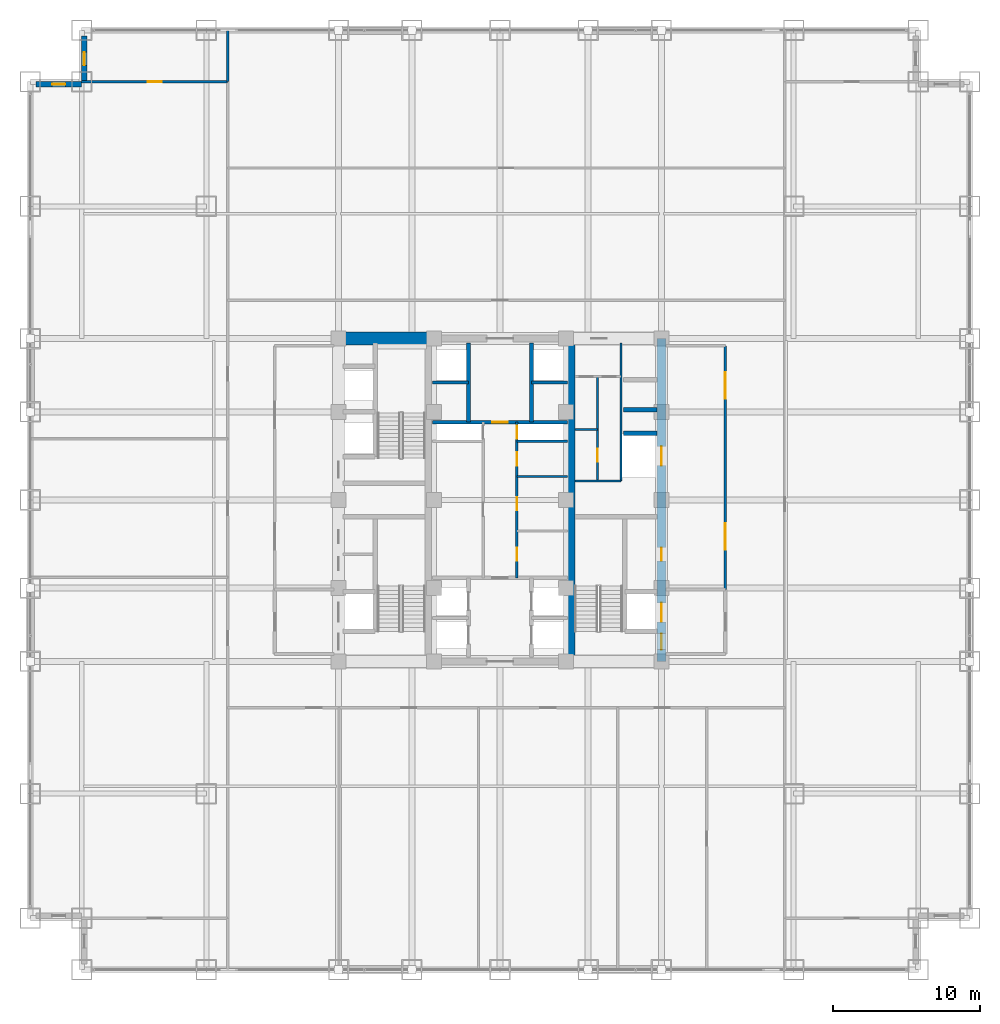
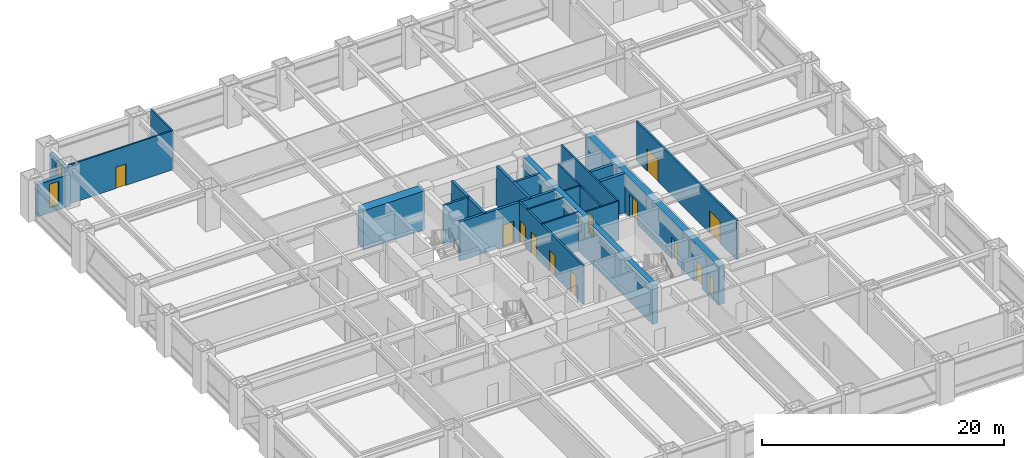
# One storey, part 25 of 27: 22 walls, 13 doors, 2 windows, 15 openings.
"""IFC4 building model written with IfcOpenShell, lengths in metres."""

from ifc_helpers import new_model, si_unit, direction, frame, frame_2d, origin, place, context, subcontext, project, spatial, rectangle, extrude, source, transform, mapped, material, layer, layer_set, type_object, element, fill, save


model = new_model("IFC4")

# Units and contexts
model_context = context("Model", 3, precision=1e-05, world=origin(), true_north=direction((0.0, 1.0)))
body_context = subcontext(model_context, "Body", "Model", "MODEL_VIEW")
ifc_project = project(units=[si_unit("LENGTHUNIT", "METRE"), si_unit("AREAUNIT", "SQUARE_METRE"), si_unit("VOLUMEUNIT", "CUBIC_METRE"), si_unit("PLANEANGLEUNIT", "RADIAN"), si_unit("MASSUNIT", "GRAM", prefix="KILO")], contexts=[model_context])

# Site, building, storey
site_placement = place(None, origin())
site = spatial("IfcSite", under=ifc_project, at=site_placement, CompositionType="ELEMENT")
building_placement = place(site_placement, origin())
building = spatial("IfcBuilding", under=site, at=building_placement, Name="Khorayat Bourse Tower", CompositionType="ELEMENT")
storey_placement = place(building_placement, frame((0.0, 0.0, 45.199951171875)))
storey = spatial("IfcBuildingStorey", under=building, at=storey_placement, Name="L09", CompositionType="ELEMENT", Elevation=45.199951171875)

# Wall, openings, doors
ifc_material_1 = material(Name="Concrete C60/75", Category="concrete")
ifc_layer_1 = layer(ifc_material_1, 0.60009765625)
ifc_layer_set_1 = layer_set([ifc_layer_1], Name="Concrete C60/75")
wall_type_1 = type_object("IfcWallType", Name="WAL-CORE-600", PredefinedType="SHEAR", material=ifc_layer_set_1)
shared_shape_1 = source(origin(), body_context, "Body", "SweptSolid", [
    extrude(rectangle(XDim=22.0, YDim=0.60009765625, at=frame_2d((11.0, 0.0))), origin(), (0.0, 0.0, 1.0), 3.93994140625),
])
wall_1_placement = place(storey_placement, frame((11.0, -11.0, 0.0), z_axis=(0.0, 0.0, 1.0), x_axis=(0.0, 1.0, 0.0)))
wall_1 = element("IfcWall", 1, at=wall_1_placement, inside=storey, type_object=wall_type_1, Name="L09 Core Shear Wall CORE-E", PredefinedType="SHEAR", context=body_context, shape_type="MappedRepresentation", body=[
    mapped(shared_shape_1, transform((0.0, 0.0, 0.0), scale=1.0)),
])
shared_shape_2 = source(origin(), body_context, "Body", "SweptSolid", [
    extrude(rectangle(XDim=1.10009765625, YDim=2.199951171875, at=frame_2d((0.550048828125, 1.10009765625))), frame((0.0, 0.31005859375, 0.0), z_axis=(0.0, -1.0, 0.0), x_axis=(1.0, 0.0, 0.0)), (0.0, 0.0, 1.0), 0.6201171875),
])
opening_1_placement = place(wall_1_placement, frame((0.800048828125, 0.0, 0.0)))
opening_1 = element("IfcOpeningElement", 2, at=opening_1_placement, cuts=wall_1, Name="Opening DI-01", PredefinedType="OPENING", context=body_context, shape_type="MappedRepresentation", body=[
    mapped(shared_shape_2, transform((0.0, 0.0, 0.0), scale=1.0)),
])
shared_shape_3 = source(origin(), body_context, "Body", "SweptSolid", [
    extrude(rectangle(XDim=0.89990234375, YDim=2.14990234375, at=frame_2d((0.449951171875, 1.074951171875))), frame((0.0, 0.31005859375, 0.0), z_axis=(0.0, -1.0, 0.0), x_axis=(1.0, 0.0, 0.0)), (0.0, 0.0, 1.0), 0.6201171875),
])
opening_2_placement = place(wall_1_placement, frame((6.85009765625, 0.0, 0.0)))
opening_2 = element("IfcOpeningElement", 3, at=opening_2_placement, cuts=wall_1, Name="Opening DI-06", PredefinedType="OPENING", context=body_context, shape_type="MappedRepresentation", body=[
    mapped(shared_shape_3, transform((0.0, 0.0, 0.0), scale=1.0)),
])
shared_shape_4 = source(origin(), body_context, "Body", "SweptSolid", [
    extrude(rectangle(XDim=1.300048828125, YDim=2.300048828125, at=frame_2d((0.64990234375, 1.14990234375))), frame((0.0, 0.31005859375, 0.0), z_axis=(0.0, -1.0, 0.0), x_axis=(1.0, 0.0, 0.0)), (0.0, 0.0, 1.0), 0.6201171875),
])
opening_3_placement = place(wall_1_placement, frame((2.699951171875, 0.0, 0.0)))
opening_3 = element("IfcOpeningElement", 4, at=opening_3_placement, cuts=wall_1, Name="Opening LD-02", PredefinedType="OPENING", context=body_context, shape_type="MappedRepresentation", body=[
    mapped(shared_shape_4, transform((0.0, 0.0, 0.0), scale=1.0)),
])
opening_4_placement = place(wall_1_placement, frame((13.35009765625, 0.0, 0.0)))
opening_4 = element("IfcOpeningElement", 5, at=opening_4_placement, cuts=wall_1, Name="Opening LD-02", PredefinedType="OPENING", context=body_context, shape_type="MappedRepresentation", body=[
    mapped(shared_shape_4, transform((0.0, 0.0, 0.0), scale=1.0)),
])
ifc_material_2 = material(Name="Fire-rated steel acoustic leaf", Category="steel")
door_type_1 = type_object("IfcDoorType", Name="DR-INT-STAIR-1100", OperationType="NOTDEFINED", PredefinedType="DOOR", material=ifc_material_2)
shared_shape_5 = source(origin(), body_context, "Body", "SweptSolid", [
    extrude(rectangle(XDim=1.10009765625, YDim=2.199951171875, at=frame_2d((0.550048828125, 1.10009765625))), frame((0.0, 0.02490234375, 0.0), z_axis=(0.0, -1.0, 0.0), x_axis=(1.0, 0.0, 0.0)), (0.0, 0.0, 1.0), 0.050048828125),
])
door_1_placement = place(opening_1_placement, origin())
door_1 = element("IfcDoor", 6, at=door_1_placement, inside=storey, type_object=door_type_1, Name="L09 Exit Stair 3 Door", OperationType="SINGLE_SWING_LEFT", OverallHeight=2.199951171875, OverallWidth=1.10009765625, PredefinedType="DOOR", context=body_context, shape_type="MappedRepresentation", body=[
    mapped(shared_shape_5, transform((0.0, 0.0, 0.0), scale=1.0)),
])
fill(opening_1, door_1)
ifc_material_3 = material(Name="Moisture-resistant laminate washroom door")
door_type_2 = type_object("IfcDoorType", Name="DR-INT-WC-900", OperationType="NOTDEFINED", PredefinedType="DOOR", material=ifc_material_3)
shared_shape_6 = source(origin(), body_context, "Body", "SweptSolid", [
    extrude(rectangle(XDim=0.89990234375, YDim=2.14990234375, at=frame_2d((0.449951171875, 1.074951171875))), frame((0.0, 0.02490234375, 0.0), z_axis=(0.0, -1.0, 0.0), x_axis=(1.0, 0.0, 0.0)), (0.0, 0.0, 1.0), 0.050048828125),
])
door_2_placement = place(opening_2_placement, origin())
door_2 = element("IfcDoor", 7, at=door_2_placement, inside=storey, type_object=door_type_2, Name="L09 Telecom Server Plant Room Door", OperationType="SINGLE_SWING_LEFT", OverallHeight=2.14990234375, OverallWidth=0.89990234375, PredefinedType="DOOR", context=body_context, shape_type="MappedRepresentation", body=[
    mapped(shared_shape_6, transform((0.0, 0.0, 0.0), scale=1.0)),
])
fill(opening_2, door_2)
ifc_material_4 = material(Name="Fire-rated stainless-steel sliding landing door", Category="steel")
door_type_3 = type_object("IfcDoorType", Name="DR-LIFT-FF-1300", OperationType="NOTDEFINED", PredefinedType="DOOR", material=ifc_material_4)
shared_shape_7 = source(origin(), body_context, "Body", "SweptSolid", [
    extrude(rectangle(XDim=1.300048828125, YDim=2.300048828125, at=frame_2d((0.64990234375, 1.14990234375))), frame((0.0, 0.02490234375, 0.0), z_axis=(0.0, -1.0, 0.0), x_axis=(1.0, 0.0, 0.0)), (0.0, 0.0, 1.0), 0.050048828125),
])
door_3_placement = place(opening_3_placement, origin())
door_3 = element("IfcDoor", 8, at=door_3_placement, inside=storey, type_object=door_type_3, Name="L09 Lift FFL-02 Sliding Landing Door", OperationType="SLIDING_TO_LEFT", OverallHeight=2.300048828125, OverallWidth=1.300048828125, PredefinedType="DOOR", context=body_context, shape_type="MappedRepresentation", body=[
    mapped(shared_shape_7, transform((0.0, 0.0, 0.0), scale=1.0)),
])
fill(opening_3, door_3)
door_4_placement = place(opening_4_placement, origin())
door_4 = element("IfcDoor", 9, at=door_4_placement, inside=storey, type_object=door_type_3, Name="L09 Lift SVL-01 Sliding Landing Door", OperationType="SLIDING_TO_LEFT", OverallHeight=2.300048828125, OverallWidth=1.300048828125, PredefinedType="DOOR", context=body_context, shape_type="MappedRepresentation", body=[
    mapped(shared_shape_7, transform((0.0, 0.0, 0.0), scale=1.0)),
])
fill(opening_4, door_4)

# Walls
ifc_material_5 = material(Name="Concrete C52/65", Category="concrete")
ifc_layer_2 = layer(ifc_material_5, 0.5)
ifc_layer_set_2 = layer_set([ifc_layer_2], Name="Concrete C52/65")
wall_type_2 = type_object("IfcWallType", Name="WAL-CORE-500", PredefinedType="SHEAR", material=ifc_layer_set_2)
shared_shape_8 = source(origin(), body_context, "Body", "SweptSolid", [
    extrude(rectangle(XDim=21.39990234375, YDim=0.5, at=frame_2d((10.699951171875, 0.0))), origin(), (0.0, 0.0, 1.0), 3.93994140625),
])
wall_2_placement = place(storey_placement, frame((4.85009765625, -10.699951171875, 0.0), z_axis=(0.0, 0.0, 1.0), x_axis=(0.0, 1.0, 0.0)))
element("IfcWall", 10, at=wall_2_placement, inside=storey, type_object=wall_type_2, Name="L09 Core Shear Wall PIER-E", PredefinedType="SHEAR", context=body_context, shape_type="MappedRepresentation", body=[
    mapped(shared_shape_8, transform((0.0, 0.0, 0.0), scale=1.0)),
])
ifc_material_6 = material(Name="Concrete C72/90", Category="concrete")
ifc_layer_3 = layer(ifc_material_6, 0.89990234375)
ifc_layer_set_3 = layer_set([ifc_layer_3], Name="Concrete C72/90")
wall_type_3 = type_object("IfcWallType", Name="WAL-CORE-900", PredefinedType="SHEAR", material=ifc_layer_set_3)
shared_shape_9 = source(origin(), body_context, "Body", "SweptSolid", [
    extrude(rectangle(XDim=5.849853515625, YDim=0.89990234375, at=frame_2d((2.9248046875, 0.0))), origin(), (0.0, 0.0, 1.0), 3.93994140625),
])
wall_3_placement = place(storey_placement, frame((-10.699951171875, 11.0, 0.0), z_axis=(0.0, 0.0, 1.0), x_axis=(1.0, 0.0, 0.0)))
element("IfcWall", 11, at=wall_3_placement, inside=storey, type_object=wall_type_3, Name="L09 Core Shear Wall PIER-WN", PredefinedType="SHEAR", context=body_context, shape_type="MappedRepresentation", body=[
    mapped(shared_shape_9, transform((0.0, 0.0, 0.0), scale=1.0)),
])

# Wall, opening, window
ifc_material_7 = material(Name="Precast concrete C45/55", Category="concrete")
ifc_layer_4 = layer(ifc_material_7, 0.3798828125)
ifc_layer_set_4 = layer_set([ifc_layer_4], Name="Precast concrete C45/55")
wall_type_4 = type_object("IfcWallType", Name="WAL-EXT-STONE-380", PredefinedType="STANDARD", material=ifc_layer_set_4)
shared_shape_10 = source(origin(), body_context, "Body", "SweptSolid", [
    extrude(rectangle(XDim=3.1201171875, YDim=0.3798828125, at=frame_2d((1.56005859375, 0.0))), origin(), (0.0, 0.0, 1.0), 3.2451171875),
])
wall_4_placement = place(storey_placement, frame((-28.31005859375, 28.5, 0.0), z_axis=(0.0, 0.0, 1.0), x_axis=(0.0, 1.0, 0.0)))
wall_4 = element("IfcWall", 12, at=wall_4_placement, inside=storey, type_object=wall_type_4, Name="L09 Re-Entrant Notch Limestone Wall NW-V", PredefinedType="STANDARD", context=body_context, shape_type="MappedRepresentation", body=[
    mapped(shared_shape_10, transform((0.0, 0.0, 0.0), scale=1.0)),
])
shared_shape_11 = source(origin(), body_context, "Body", "SweptSolid", [
    extrude(rectangle(XDim=0.89990234375, YDim=2.39990234375, at=frame_2d((0.449951171875, 1.199951171875))), frame((0.0, 0.199951171875, 0.0), z_axis=(0.0, -1.0, 0.0), x_axis=(1.0, 0.0, 0.0)), (0.0, 0.0, 1.0), 0.39990234375),
])
opening_5_placement = place(wall_4_placement, frame((1.110107421875, 0.0, 0.5)))
opening_5 = element("IfcOpeningElement", 13, at=opening_5_placement, cuts=wall_4, Name="Opening WN-03", PredefinedType="OPENING", context=body_context, shape_type="MappedRepresentation", body=[
    mapped(shared_shape_11, transform((0.0, 0.0, 0.0), scale=1.0)),
])
ifc_material_8 = material(Name="Deep-reveal solar-control double glazing", Category="glass")
window_type = type_object("IfcWindowType", Name="WIN-SLOT-900x2400", PartitioningType="SINGLE_PANEL", PredefinedType="WINDOW", material=ifc_material_8)
shared_shape_12 = source(origin(), body_context, "Body", "SweptSolid", [
    extrude(rectangle(XDim=0.89990234375, YDim=2.39990234375, at=frame_2d((0.449951171875, 1.199951171875))), frame((0.0, 0.030029296875, 0.0), z_axis=(0.0, -1.0, 0.0), x_axis=(1.0, 0.0, 0.0)), (0.0, 0.0, 1.0), 0.06005859375),
])
window_1_placement = place(opening_5_placement, origin())
window_1 = element("IfcWindow", 14, at=window_1_placement, inside=storey, type_object=window_type, Name="L09 Facade Window 1", OverallHeight=2.39990234375, OverallWidth=0.89990234375, PartitioningType="SINGLE_PANEL", PredefinedType="WINDOW", context=body_context, shape_type="MappedRepresentation", body=[
    mapped(shared_shape_12, transform((0.0, 0.0, 0.0), scale=1.0)),
])
fill(opening_5, window_1)

wall_5_placement = place(storey_placement, frame((-28.5, 28.31005859375, 0.0), z_axis=(0.0, 0.0, 1.0), x_axis=(-1.0, 0.0, 0.0)))
wall_5 = element("IfcWall", 15, at=wall_5_placement, inside=storey, type_object=wall_type_4, Name="L09 Re-Entrant Notch Limestone Wall NW-H", PredefinedType="STANDARD", context=body_context, shape_type="MappedRepresentation", body=[
    mapped(shared_shape_10, transform((0.0, 0.0, 0.0), scale=1.0)),
])
opening_6_placement = place(wall_5_placement, frame((1.110107421875, 0.0, 0.5)))
opening_6 = element("IfcOpeningElement", 16, at=opening_6_placement, cuts=wall_5, Name="Opening WN-03", PredefinedType="OPENING", context=body_context, shape_type="MappedRepresentation", body=[
    mapped(shared_shape_11, transform((0.0, 0.0, 0.0), scale=1.0)),
])
window_2_placement = place(opening_6_placement, origin())
window_2 = element("IfcWindow", 17, at=window_2_placement, inside=storey, type_object=window_type, Name="L09 Facade Window 1", OverallHeight=2.39990234375, OverallWidth=0.89990234375, PartitioningType="SINGLE_PANEL", PredefinedType="WINDOW", context=body_context, shape_type="MappedRepresentation", body=[
    mapped(shared_shape_12, transform((0.0, 0.0, 0.0), scale=1.0)),
])
fill(opening_6, window_2)

# Walls
ifc_material_9 = material(Name="Concrete C50/60", Category="concrete")
ifc_layer_5 = layer(ifc_material_9, 0.300048828125)
ifc_layer_set_5 = layer_set([ifc_layer_5], Name="Concrete C50/60")
wall_type_5 = type_object("IfcWallType", Name="WAL-SHAFT-300", PredefinedType="SHEAR", material=ifc_layer_set_5)
shared_shape_13 = source(origin(), body_context, "Body", "SweptSolid", [
    extrude(rectangle(XDim=2.300048828125, YDim=0.300048828125, at=frame_2d((1.14990234375, 0.0))), origin(), (0.0, 0.0, 1.0), 3.93994140625),
])
for number, where, z_axis, x_axis, name in (
    (18, (8.39990234375, 4.550048828125, 0.0), (0.0, 0.0, 1.0), (1.0, 0.0, 0.0), "L09 Partition WAL-L09-EPIER-SVLN"),
    (19, (8.39990234375, 6.14990234375, 0.0), (0.0, 0.0, 1.0), (1.0, 0.0, 0.0), "L09 Partition WAL-L09-EPIER-H3S"),
):
    element("IfcWall", number, at=place(storey_placement, frame(where, z_axis=z_axis, x_axis=x_axis)), inside=storey, type_object=wall_type_5, Name=name, PredefinedType="SHEAR", context=body_context, shape_type="MappedRepresentation", body=[
        mapped(shared_shape_13, transform((0.0, 0.0, 0.0), scale=1.0)),
    ])
ifc_material_10 = material(Name="Moisture-resistant masonry partition", Category="masonry")
ifc_layer_6 = layer(ifc_material_10, 0.139892578125)
ifc_layer_set_6 = layer_set([ifc_layer_6], Name="Moisture-resistant masonry partition")
wall_type_6 = type_object("IfcWallType", Name="WAL-PART-WET-140", PredefinedType="PARTITIONING", material=ifc_layer_set_6)
shared_shape_14 = source(origin(), body_context, "Body", "SweptSolid", [
    extrude(rectangle(XDim=9.39990234375, YDim=0.139892578125, at=frame_2d((4.699951171875, 0.0))), origin(), (0.0, 0.0, 1.0), 3.93994140625),
])
wall_6_placement = place(storey_placement, frame((8.25, 1.300048828125, 0.0), z_axis=(0.0, 0.0, 1.0), x_axis=(0.0, 1.0, 0.0)))
element("IfcWall", 20, at=wall_6_placement, inside=storey, type_object=wall_type_6, Name="L09 Partition WAL-L09-ECORE-E", PredefinedType="PARTITIONING", context=body_context, shape_type="MappedRepresentation", body=[
    mapped(shared_shape_14, transform((0.0, 0.0, 0.0), scale=1.0)),
])
shared_shape_15 = source(origin(), body_context, "Body", "SweptSolid", [
    extrude(rectangle(XDim=3.14990234375, YDim=0.139892578125, at=frame_2d((1.574951171875, 0.0))), origin(), (0.0, 0.0, 1.0), 3.93994140625),
])
wall_7_placement = place(storey_placement, frame((5.10009765625, 1.300048828125, 0.0), z_axis=(0.0, 0.0, 1.0), x_axis=(1.0, 0.0, 0.0)))
element("IfcWall", 21, at=wall_7_placement, inside=storey, type_object=wall_type_6, Name="L09 Partition WAL-L09-ECORE-S", PredefinedType="PARTITIONING", context=body_context, shape_type="MappedRepresentation", body=[
    mapped(shared_shape_15, transform((0.0, 0.0, 0.0), scale=1.0)),
])

# Wall, openings, doors
ifc_material_11 = material(Name="Gypsum plasterboard acoustic stud wall")
ifc_layer_7 = layer(ifc_material_11, 0.179931640625)
ifc_layer_set_7 = layer_set([ifc_layer_7], Name="Gypsum plasterboard acoustic stud wall")
wall_type_7 = type_object("IfcWallType", Name="WAL-PART-CORR-180", PredefinedType="PARTITIONING", material=ifc_layer_set_7)
shared_shape_16 = source(origin(), body_context, "Body", "SweptSolid", [
    extrude(rectangle(XDim=16.60009765625, YDim=0.179931640625, at=frame_2d((8.300048828125, 0.0))), origin(), (0.0, 0.0, 1.0), 3.93994140625),
])
wall_8_placement = place(storey_placement, frame((15.35009765625, -6.10009765625, 0.0), z_axis=(0.0, 0.0, 1.0), x_axis=(0.0, 1.0, 0.0)))
wall_8 = element("IfcWall", 22, at=wall_8_placement, inside=storey, type_object=wall_type_7, Name="L09 Partition WAL-L09-ELOB-E", PredefinedType="PARTITIONING", context=body_context, shape_type="MappedRepresentation", body=[
    mapped(shared_shape_16, transform((0.0, 0.0, 0.0), scale=1.0)),
])
shared_shape_17 = source(origin(), body_context, "Body", "SweptSolid", [
    extrude(rectangle(XDim=1.800048828125, YDim=2.25, at=frame_2d((0.89990234375, 1.125))), frame((0.0, 0.099853515625, 0.0), z_axis=(0.0, -1.0, 0.0), x_axis=(1.0, 0.0, 0.0)), (0.0, 0.0, 1.0), 0.199951171875),
])
opening_7_placement = place(wall_8_placement, frame((2.699951171875, 0.0, 0.0)))
opening_7 = element("IfcOpeningElement", 23, at=opening_7_placement, cuts=wall_8, Name="Opening DI-03", PredefinedType="OPENING", context=body_context, shape_type="MappedRepresentation", body=[
    mapped(shared_shape_17, transform((0.0, 0.0, 0.0), scale=1.0)),
])
opening_8_placement = place(wall_8_placement, frame((13.0, 0.0, 0.0)))
opening_8 = element("IfcOpeningElement", 24, at=opening_8_placement, cuts=wall_8, Name="Opening DI-03", PredefinedType="OPENING", context=body_context, shape_type="MappedRepresentation", body=[
    mapped(shared_shape_17, transform((0.0, 0.0, 0.0), scale=1.0)),
])
ifc_material_12 = material(Name="Fire-rated hardwood vision-panel double leaf", Category="wood")
door_type_4 = type_object("IfcDoorType", Name="DR-INT-CORR-1800", OperationType="NOTDEFINED", PredefinedType="DOOR", material=ifc_material_12)
shared_shape_18 = source(origin(), body_context, "Body", "SweptSolid", [
    extrude(rectangle(XDim=1.800048828125, YDim=2.25, at=frame_2d((0.89990234375, 1.125))), frame((0.0, 0.02490234375, 0.0), z_axis=(0.0, -1.0, 0.0), x_axis=(1.0, 0.0, 0.0)), (0.0, 0.0, 1.0), 0.050048828125),
])
door_5_placement = place(opening_7_placement, origin())
door_5 = element("IfcDoor", 25, at=door_5_placement, inside=storey, type_object=door_type_4, Name="L09 East Core Lobby South Door", OperationType="SINGLE_SWING_RIGHT", OverallHeight=2.25, OverallWidth=1.800048828125, PredefinedType="DOOR", context=body_context, shape_type="MappedRepresentation", body=[
    mapped(shared_shape_18, transform((0.0, 0.0, 0.0), scale=1.0)),
])
fill(opening_7, door_5)
door_6_placement = place(opening_8_placement, origin())
door_6 = element("IfcDoor", 26, at=door_6_placement, inside=storey, type_object=door_type_4, Name="L09 East Core Lobby North Door", OperationType="SINGLE_SWING_LEFT", OverallHeight=2.25, OverallWidth=1.800048828125, PredefinedType="DOOR", context=body_context, shape_type="MappedRepresentation", body=[
    mapped(shared_shape_18, transform((0.0, 0.0, 0.0), scale=1.0)),
])
fill(opening_8, door_6)

# Walls
ifc_material_13 = material(Name="Gypsum plasterboard twin-frame partition")
ifc_layer_8 = layer(ifc_material_13, 0.14990234375)
ifc_layer_set_8 = layer_set([ifc_layer_8], Name="Gypsum plasterboard twin-frame partition")
wall_type_8 = type_object("IfcWallType", Name="WAL-PART-SUITE-150", PredefinedType="PARTITIONING", material=ifc_layer_set_8)
shared_shape_19 = source(origin(), body_context, "Body", "SweptSolid", [
    extrude(rectangle(XDim=3.4501953125, YDim=0.14990234375, at=frame_2d((1.72509765625, 0.0))), origin(), (0.0, 0.0, 1.0), 3.93994140625),
])
wall_9_placement = place(storey_placement, frame((1.14990234375, 4.0, 0.0), z_axis=(0.0, 0.0, 1.0), x_axis=(1.0, 0.0, 0.0)))
element("IfcWall", 27, at=wall_9_placement, inside=storey, type_object=wall_type_8, Name="L09 Partition WAL-L09-CRSE-S", PredefinedType="PARTITIONING", context=body_context, shape_type="MappedRepresentation", body=[
    mapped(shared_shape_19, transform((0.0, 0.0, 0.0), scale=1.0)),
])
shared_shape_20 = source(origin(), body_context, "Body", "SweptSolid", [
    extrude(rectangle(XDim=5.39990234375, YDim=0.25, at=frame_2d((2.699951171875, 0.0))), origin(), (0.0, 0.0, 1.0), 3.93994140625),
])
for number, where, z_axis, x_axis, name in (
    (28, (-2.14990234375, 5.300048828125, 0.0), (0.0, 0.0, 1.0), (0.0, 1.0, 0.0), "L09 Partition WAL-L09-B2-W"),
    (29, (2.14990234375, 5.300048828125, 0.0), (0.0, 0.0, 1.0), (0.0, 1.0, 0.0), "L09 Partition WAL-L09-B2-E"),
):
    element("IfcWall", number, at=place(storey_placement, frame(where, z_axis=z_axis, x_axis=x_axis)), inside=storey, type_object=wall_type_5, Name=name, PredefinedType="SHEAR", context=body_context, shape_type="MappedRepresentation", body=[
        mapped(shared_shape_20, transform((0.0, 0.0, 0.0), scale=1.0)),
    ])
shared_shape_21 = source(origin(), body_context, "Body", "SweptSolid", [
    extrude(rectangle(XDim=2.4501953125, YDim=0.199951171875, at=frame_2d((1.22509765625, 0.0))), origin(), (0.0, 0.0, 1.0), 3.93994140625),
])
for number, where, z_axis, x_axis, name in (
    (30, (-4.60009765625, 8.0, 0.0), (0.0, 0.0, 1.0), (1.0, 0.0, 0.0), "L09 Partition WAL-L09-B2-MW"),
    (31, (2.14990234375, 8.0, 0.0), (0.0, 0.0, 1.0), (1.0, 0.0, 0.0), "L09 Partition WAL-L09-B2-ME"),
):
    element("IfcWall", number, at=place(storey_placement, frame(where, z_axis=z_axis, x_axis=x_axis)), inside=storey, type_object=wall_type_5, Name=name, PredefinedType="SHEAR", context=body_context, shape_type="MappedRepresentation", body=[
        mapped(shared_shape_21, transform((0.0, 0.0, 0.0), scale=1.0)),
    ])

# Wall, opening, door
shared_shape_22 = source(origin(), body_context, "Body", "SweptSolid", [
    extrude(rectangle(XDim=9.2001953125, YDim=0.25, at=frame_2d((4.60009765625, 0.0))), origin(), (0.0, 0.0, 1.0), 3.93994140625),
])
wall_10_placement = place(storey_placement, frame((-4.60009765625, 5.300048828125, 0.0), z_axis=(0.0, 0.0, 1.0), x_axis=(1.0, 0.0, 0.0)))
wall_10 = element("IfcWall", 32, at=wall_10_placement, inside=storey, type_object=wall_type_5, Name="L09 Partition WAL-L09-B2-S", PredefinedType="SHEAR", context=body_context, shape_type="MappedRepresentation", body=[
    mapped(shared_shape_22, transform((0.0, 0.0, 0.0), scale=1.0)),
])
shared_shape_23 = source(origin(), body_context, "Body", "SweptSolid", [
    extrude(rectangle(XDim=1.050048828125, YDim=2.199951171875, at=frame_2d((0.52490234375, 1.10009765625))), frame((0.0, 0.135009765625, 0.0), z_axis=(0.0, -1.0, 0.0), x_axis=(1.0, 0.0, 0.0)), (0.0, 0.0, 1.0), 0.27001953125),
])
opening_9_placement = place(wall_10_placement, frame((4.074951171875, 0.0, 0.0)))
opening_9 = element("IfcOpeningElement", 33, at=opening_9_placement, cuts=wall_10, Name="Opening DI-04", PredefinedType="OPENING", context=body_context, shape_type="MappedRepresentation", body=[
    mapped(shared_shape_23, transform((0.0, 0.0, 0.0), scale=1.0)),
])
ifc_material_14 = material(Name="Fire-rated oak veneer suite entrance door")
door_type_5 = type_object("IfcDoorType", Name="DR-INT-SUITE-1050", OperationType="NOTDEFINED", PredefinedType="DOOR", material=ifc_material_14)
shared_shape_24 = source(origin(), body_context, "Body", "SweptSolid", [
    extrude(rectangle(XDim=1.050048828125, YDim=2.199951171875, at=frame_2d((0.52490234375, 1.10009765625))), frame((0.0, 0.02490234375, 0.0), z_axis=(0.0, -1.0, 0.0), x_axis=(1.0, 0.0, 0.0)), (0.0, 0.0, 1.0), 0.050048828125),
])
door_7_placement = place(opening_9_placement, origin())
door_7 = element("IfcDoor", 34, at=door_7_placement, inside=storey, type_object=door_type_5, Name="L09 Core Spine North Door", OperationType="SINGLE_SWING_RIGHT", OverallHeight=2.199951171875, OverallWidth=1.050048828125, PredefinedType="DOOR", context=body_context, shape_type="MappedRepresentation", body=[
    mapped(shared_shape_24, transform((0.0, 0.0, 0.0), scale=1.0)),
])
fill(opening_9, door_7)

# Wall
shared_shape_25 = source(origin(), body_context, "Body", "SweptSolid", [
    extrude(rectangle(XDim=3.4501953125, YDim=0.139892578125, at=frame_2d((1.72509765625, 0.0))), origin(), (0.0, 0.0, 1.0), 3.93994140625),
])
wall_11_placement = place(storey_placement, frame((1.14990234375, 1.60009765625, 0.0), z_axis=(0.0, 0.0, 1.0), x_axis=(1.0, 0.0, 0.0)))
element("IfcWall", 35, at=wall_11_placement, inside=storey, type_object=wall_type_6, Name="L09 Partition WAL-L09-CME-D2", PredefinedType="PARTITIONING", context=body_context, shape_type="MappedRepresentation", body=[
    mapped(shared_shape_25, transform((0.0, 0.0, 0.0), scale=1.0)),
])

# Wall, openings, doors
shared_shape_26 = source(origin(), body_context, "Body", "SweptSolid", [
    extrude(rectangle(XDim=10.60009765625, YDim=0.179931640625, at=frame_2d((5.300048828125, 0.0))), origin(), (0.0, 0.0, 1.0), 3.93994140625),
])
wall_12_placement = place(storey_placement, frame((1.14990234375, -5.300048828125, 0.0), z_axis=(0.0, 0.0, 1.0), x_axis=(0.0, 1.0, 0.0)))
wall_12 = element("IfcWall", 36, at=wall_12_placement, inside=storey, type_object=wall_type_7, Name="L09 Partition WAL-L09-CME-L", PredefinedType="PARTITIONING", context=body_context, shape_type="MappedRepresentation", body=[
    mapped(shared_shape_26, transform((0.0, 0.0, 0.0), scale=1.0)),
])
shared_shape_27 = source(origin(), body_context, "Body", "SweptSolid", [
    extrude(rectangle(XDim=0.89990234375, YDim=2.14990234375, at=frame_2d((0.449951171875, 1.074951171875))), frame((0.0, 0.099853515625, 0.0), z_axis=(0.0, -1.0, 0.0), x_axis=(1.0, 0.0, 0.0)), (0.0, 0.0, 1.0), 0.199951171875),
])
opening_10_placement = place(wall_12_placement, frame((1.14990234375, 0.0, 0.0)))
opening_10 = element("IfcOpeningElement", 37, at=opening_10_placement, cuts=wall_12, Name="Opening DI-06", PredefinedType="OPENING", context=body_context, shape_type="MappedRepresentation", body=[
    mapped(shared_shape_27, transform((0.0, 0.0, 0.0), scale=1.0)),
])
opening_11_placement = place(wall_12_placement, frame((4.60009765625, 0.0, 0.0)))
opening_11 = element("IfcOpeningElement", 38, at=opening_11_placement, cuts=wall_12, Name="Opening DI-06", PredefinedType="OPENING", context=body_context, shape_type="MappedRepresentation", body=[
    mapped(shared_shape_27, transform((0.0, 0.0, 0.0), scale=1.0)),
])
opening_12_placement = place(wall_12_placement, frame((7.64990234375, 0.0, 0.0)))
opening_12 = element("IfcOpeningElement", 39, at=opening_12_placement, cuts=wall_12, Name="Opening DI-06", PredefinedType="OPENING", context=body_context, shape_type="MappedRepresentation", body=[
    mapped(shared_shape_27, transform((0.0, 0.0, 0.0), scale=1.0)),
])
opening_13_placement = place(wall_12_placement, frame((9.47509765625, 0.0, 0.0)))
opening_13 = element("IfcOpeningElement", 40, at=opening_13_placement, cuts=wall_12, Name="Opening DI-06", PredefinedType="OPENING", context=body_context, shape_type="MappedRepresentation", body=[
    mapped(shared_shape_27, transform((0.0, 0.0, 0.0), scale=1.0)),
])
door_8_placement = place(opening_10_placement, origin())
door_8 = element("IfcDoor", 41, at=door_8_placement, inside=storey, type_object=door_type_2, Name="L09 Female Core Washroom Door", OperationType="SINGLE_SWING_RIGHT", OverallHeight=2.14990234375, OverallWidth=0.89990234375, PredefinedType="DOOR", context=body_context, shape_type="MappedRepresentation", body=[
    mapped(shared_shape_6, transform((0.0, 0.0, 0.0), scale=1.0)),
])
fill(opening_10, door_8)
door_9_placement = place(opening_11_placement, origin())
door_9 = element("IfcDoor", 42, at=door_9_placement, inside=storey, type_object=door_type_2, Name="L09 Cleaners Store Door", OperationType="SINGLE_SWING_LEFT", OverallHeight=2.14990234375, OverallWidth=0.89990234375, PredefinedType="DOOR", context=body_context, shape_type="MappedRepresentation", body=[
    mapped(shared_shape_6, transform((0.0, 0.0, 0.0), scale=1.0)),
])
fill(opening_11, door_9)
door_10_placement = place(opening_12_placement, origin())
door_10 = element("IfcDoor", 43, at=door_10_placement, inside=storey, type_object=door_type_2, Name="L09 Meter and BMS Plant Room Door", OperationType="SINGLE_SWING_RIGHT", OverallHeight=2.14990234375, OverallWidth=0.89990234375, PredefinedType="DOOR", context=body_context, shape_type="MappedRepresentation", body=[
    mapped(shared_shape_6, transform((0.0, 0.0, 0.0), scale=1.0)),
])
fill(opening_12, door_10)
door_11_placement = place(opening_13_placement, origin())
door_11 = element("IfcDoor", 44, at=door_11_placement, inside=storey, type_object=door_type_2, Name="L09 East Core Riser Door", OperationType="SINGLE_SWING_RIGHT", OverallHeight=2.14990234375, OverallWidth=0.89990234375, PredefinedType="DOOR", context=body_context, shape_type="MappedRepresentation", body=[
    mapped(shared_shape_6, transform((0.0, 0.0, 0.0), scale=1.0)),
])
fill(opening_13, door_11)

# Wall
shared_shape_28 = source(origin(), body_context, "Body", "SweptSolid", [
    extrude(rectangle(XDim=3.5, YDim=0.14990234375, at=frame_2d((1.75, 0.0))), origin(), (0.0, 0.0, 1.0), 3.93994140625),
])
wall_13_placement = place(storey_placement, frame((-18.550048828125, 28.5, 0.0), z_axis=(0.0, 0.0, 1.0), x_axis=(0.0, 1.0, 0.0)))
element("IfcWall", 45, at=wall_13_placement, inside=storey, type_object=wall_type_8, Name="L09 Partition WAL-L09-NCW-END", PredefinedType="PARTITIONING", context=body_context, shape_type="MappedRepresentation", body=[
    mapped(shared_shape_28, transform((0.0, 0.0, 0.0), scale=1.0)),
])

# Wall, opening, door
shared_shape_29 = source(origin(), body_context, "Body", "SweptSolid", [
    extrude(rectangle(XDim=9.949951171875, YDim=0.14990234375, at=frame_2d((4.97509765625, 0.0))), origin(), (0.0, 0.0, 1.0), 3.93994140625),
])
wall_14_placement = place(storey_placement, frame((-28.5, 28.5, 0.0), z_axis=(0.0, 0.0, 1.0), x_axis=(1.0, 0.0, 0.0)))
wall_14 = element("IfcWall", 46, at=wall_14_placement, inside=storey, type_object=wall_type_8, Name="L09 Partition WAL-L09-CNW", PredefinedType="PARTITIONING", context=body_context, shape_type="MappedRepresentation", body=[
    mapped(shared_shape_29, transform((0.0, 0.0, 0.0), scale=1.0)),
])
shared_shape_30 = source(origin(), body_context, "Body", "SweptSolid", [
    extrude(rectangle(XDim=0.949951171875, YDim=2.14990234375, at=frame_2d((0.47509765625, 1.074951171875))), frame((0.0, 0.0849609375, 0.0), z_axis=(0.0, -1.0, 0.0), x_axis=(1.0, 0.0, 0.0)), (0.0, 0.0, 1.0), 0.169921875),
])
opening_14_placement = place(wall_14_placement, frame((4.5, 0.0, 0.0)))
opening_14 = element("IfcOpeningElement", 47, at=opening_14_placement, cuts=wall_14, Name="Opening DI-05", PredefinedType="OPENING", context=body_context, shape_type="MappedRepresentation", body=[
    mapped(shared_shape_30, transform((0.0, 0.0, 0.0), scale=1.0)),
])
ifc_material_15 = material(Name="Acoustic oak veneer office door")
door_type_6 = type_object("IfcDoorType", Name="DR-INT-OFFICE-950", OperationType="NOTDEFINED", PredefinedType="DOOR", material=ifc_material_15)
shared_shape_31 = source(origin(), body_context, "Body", "SweptSolid", [
    extrude(rectangle(XDim=0.949951171875, YDim=2.14990234375, at=frame_2d((0.47509765625, 1.074951171875))), frame((0.0, 0.02490234375, 0.0), z_axis=(0.0, -1.0, 0.0), x_axis=(1.0, 0.0, 0.0)), (0.0, 0.0, 1.0), 0.050048828125),
])
door_12_placement = place(opening_14_placement, origin())
door_12 = element("IfcDoor", 48, at=door_12_placement, inside=storey, type_object=door_type_6, Name="L09 North-West Corner Meeting Room Door", OperationType="SINGLE_SWING_LEFT", OverallHeight=2.14990234375, OverallWidth=0.949951171875, PredefinedType="DOOR", context=body_context, shape_type="MappedRepresentation", body=[
    mapped(shared_shape_31, transform((0.0, 0.0, 0.0), scale=1.0)),
])
fill(opening_14, door_12)

shared_shape_32 = source(origin(), body_context, "Body", "SweptSolid", [
    extrude(rectangle(XDim=7.099853515625, YDim=0.139892578125, at=frame_2d((3.5498046875, 0.0))), origin(), (0.0, 0.0, 1.0), 3.93994140625),
])
wall_15_placement = place(storey_placement, frame((6.64990234375, 1.300048828125, 0.0), z_axis=(0.0, 0.0, 1.0), x_axis=(0.0, 1.0, 0.0)))
wall_15 = element("IfcWall", 49, at=wall_15_placement, inside=storey, type_object=wall_type_6, Name="L09 Partition WAL-L09-ECW-MID", PredefinedType="PARTITIONING", context=body_context, shape_type="MappedRepresentation", body=[
    mapped(shared_shape_32, transform((0.0, 0.0, 0.0), scale=1.0)),
])
shared_shape_33 = source(origin(), body_context, "Body", "SweptSolid", [
    extrude(rectangle(XDim=0.89990234375, YDim=2.14990234375, at=frame_2d((0.449951171875, 1.074951171875))), frame((0.0, 0.079833984375, 0.0), z_axis=(0.0, -1.0, 0.0), x_axis=(1.0, 0.0, 0.0)), (0.0, 0.0, 1.0), 0.159912109375),
])
opening_15_placement = place(wall_15_placement, frame((1.300048828125, 0.0, 0.0)))
opening_15 = element("IfcOpeningElement", 50, at=opening_15_placement, cuts=wall_15, Name="Opening DI-06", PredefinedType="OPENING", context=body_context, shape_type="MappedRepresentation", body=[
    mapped(shared_shape_33, transform((0.0, 0.0, 0.0), scale=1.0)),
])
door_13_placement = place(opening_15_placement, origin())
door_13 = element("IfcDoor", 51, at=door_13_placement, inside=storey, type_object=door_type_2, Name="L09 Janitor Store Door", OperationType="SINGLE_SWING_LEFT", OverallHeight=2.14990234375, OverallWidth=0.89990234375, PredefinedType="DOOR", context=body_context, shape_type="MappedRepresentation", body=[
    mapped(shared_shape_6, transform((0.0, 0.0, 0.0), scale=1.0)),
])
fill(opening_15, door_13)

# Wall
shared_shape_34 = source(origin(), body_context, "Body", "SweptSolid", [
    extrude(rectangle(XDim=1.5498046875, YDim=0.139892578125, at=frame_2d((0.77490234375, 0.0))), origin(), (0.0, 0.0, 1.0), 3.93994140625),
])
wall_16_placement = place(storey_placement, frame((5.10009765625, 4.800048828125, 0.0), z_axis=(0.0, 0.0, 1.0), x_axis=(1.0, 0.0, 0.0)))
element("IfcWall", 52, at=wall_16_placement, inside=storey, type_object=wall_type_6, Name="L09 Partition WAL-L09-ECW-BOT", PredefinedType="PARTITIONING", context=body_context, shape_type="MappedRepresentation", body=[
    mapped(shared_shape_34, transform((0.0, 0.0, 0.0), scale=1.0)),
])

save(model, "model.ifc")
